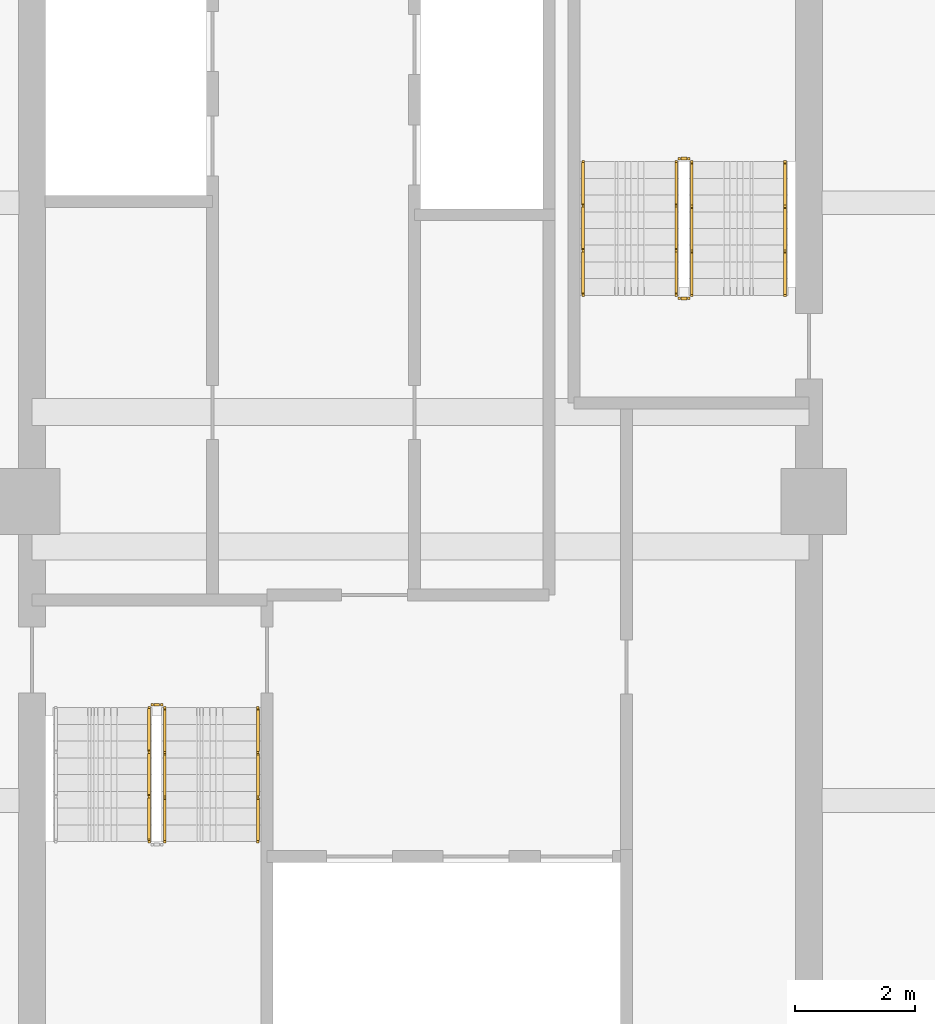
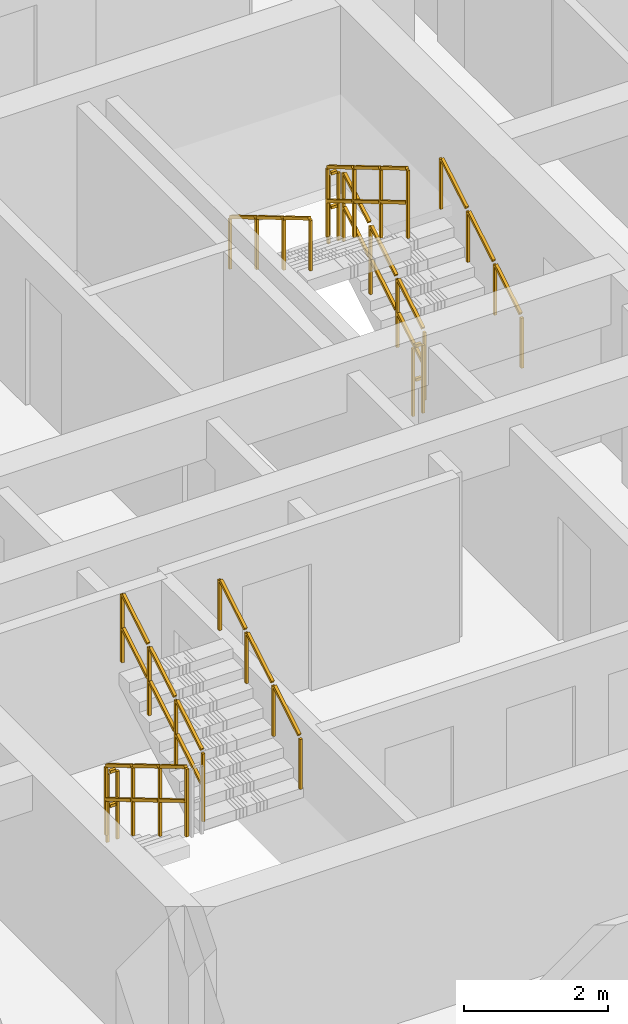
# One storey, part 11 of 13: 10 railings.
"""IFC4 building model written with IfcOpenShell, lengths in metres."""

import ifcopenshell
import ifcopenshell.guid

model = None  # the IFC model being written
_history = None  # IfcOwnerHistory: only IFC2X3 demands one
_inside = {}  # id of a spatial element -> (the spatial element, [elements in it])
_under = {}  # id of a project, library or spatial element -> (it, [spatial elements below it])
_declared = {}  # id of a project -> (the project, [libraries it declares])
_typed = {}  # id of a type object -> (the type object, [elements of that type])
_made_of = {}  # id of a material, layer set ... -> (it, [elements and type objects made of it])


def new_model(schema):
    """Start an empty IFC model of exactly this schema.

    Asked for "IFC4X3", IfcOpenShell would pick the latest addendum, in which some entities
    have other attributes; the version numbers below select the first issue.
    IFC2X3 requires an IfcOwnerHistory on every rooted entity: one is made here for all.
    """
    global model, _history
    if schema == "IFC4X3":
        model = ifcopenshell.file(schema_version=(4, 3, 0, 0))
    else:
        model = ifcopenshell.file(schema=schema)
    _inside.clear()
    _under.clear()
    _declared.clear()
    _typed.clear()
    _made_of.clear()
    _history = None
    if model.schema == "IFC2X3":
        org = make("IfcOrganization", Name="unknown")
        user = make(
            "IfcPersonAndOrganization",
            ThePerson=make("IfcPerson", FamilyName="unknown"),
            TheOrganization=org,
        )
        app = make(
            "IfcApplication",
            ApplicationDeveloper=org,
            Version="unknown",
            ApplicationFullName="unknown",
            ApplicationIdentifier="unknown",
        )
        _history = make(
            "IfcOwnerHistory",
            OwningUser=user,
            OwningApplication=app,
            ChangeAction="ADDED",
            CreationDate=0,
        )
    return model


def make(cls, **values):
    """One entity of the class cls with the attributes given. An attribute that is None is left unset."""
    return model.create_entity(
        cls, **{name: value for name, value in values.items() if value is not None}
    )


def rooted(cls, **values):
    """An entity with a GlobalId (a new one), such as an element, a storey or a relation."""
    return make(cls, GlobalId=ifcopenshell.guid.new(), OwnerHistory=_history, **values)


def si_unit(unit_type, name, prefix=None):
    """IfcSIUnit, for example si_unit("LENGTHUNIT", "METRE", prefix="MILLI")."""
    return make("IfcSIUnit", UnitType=unit_type, Prefix=prefix, Name=name)


def assignment(units):
    """IfcUnitAssignment: the units of a project."""
    return None if units is None else make("IfcUnitAssignment", Units=units)


def point(xyz):
    """IfcCartesianPoint."""
    return None if xyz is None else make("IfcCartesianPoint", Coordinates=xyz)


def direction(xyz):
    """IfcDirection."""
    return None if xyz is None else make("IfcDirection", DirectionRatios=xyz)


def frame(location, z_axis=None, x_axis=None):
    """IfcAxis2Placement3D, a coordinate frame: its origin and axes. An axis left out is left unset."""
    return make(
        "IfcAxis2Placement3D",
        Location=point(location),
        Axis=direction(z_axis),
        RefDirection=direction(x_axis),
    )


def frame_2d(location, x_axis=None):
    """IfcAxis2Placement2D, a coordinate frame in the plane: its origin and x axis."""
    return make(
        "IfcAxis2Placement2D", Location=point(location), RefDirection=direction(x_axis)
    )


def origin():
    """The frame at (0, 0, 0) with its axes left unset."""
    return frame((0.0, 0.0, 0.0))


def origin_2d():
    """The frame at (0, 0) in the plane with its x axis left unset."""
    return frame_2d((0.0, 0.0))


def place(relative_to, where):
    """IfcLocalPlacement: puts the frame where relative to a parent placement (None: the world)."""
    return make(
        "IfcLocalPlacement", PlacementRelTo=relative_to, RelativePlacement=where
    )


def context(
    kind, dimensions, precision=None, world=None, true_north=None, identifier=None
):
    """IfcGeometricRepresentationContext, for example the 3D "Model" context."""
    return make(
        "IfcGeometricRepresentationContext",
        ContextIdentifier=identifier,
        ContextType=kind,
        CoordinateSpaceDimension=dimensions,
        Precision=precision,
        WorldCoordinateSystem=world,
        TrueNorth=true_north,
    )


def subcontext(parent, identifier, kind, view, scale=None):
    """IfcGeometricRepresentationSubContext, for example "Body" below "Model"."""
    return make(
        "IfcGeometricRepresentationSubContext",
        ContextIdentifier=identifier,
        ContextType=kind,
        ParentContext=parent,
        TargetScale=scale,
        TargetView=view,
    )


def project(units=None, contexts=None):
    """IfcProject with its units and contexts."""
    return rooted(
        "IfcProject",
        Name="project",
        RepresentationContexts=contexts,
        UnitsInContext=assignment(units),
    )


def spatial(cls, under=None, at=None, **own):
    """A site, building, storey or space (cls), placed at a placement, below another one or the project."""
    s = rooted(cls, ObjectPlacement=at, **own)
    if under is not None:
        _under.setdefault(under.id(), (under, []))[1].append(s)
    return s


def profile(cls, at=None, kind="AREA", **sizes):
    """A parametric profile (cls). Its sizes go by their IFC names, for example OverallWidth=200.0."""
    return make(cls, ProfileType=kind, Position=at, **sizes)


def rectangle(**sizes):
    """IfcRectangleProfileDef."""
    return profile("IfcRectangleProfileDef", **sizes)


def extrude(swept, where, along, depth):
    """IfcExtrudedAreaSolid: the profile swept, set in the frame where, extruded along a direction by depth."""
    return make(
        "IfcExtrudedAreaSolid",
        SweptArea=swept,
        Position=where,
        ExtrudedDirection=direction(along),
        Depth=depth,
    )


def shape(context_of_items, identifier, shape_type, items):
    """IfcShapeRepresentation: the items that make up one representation, for example the "Body"."""
    return make(
        "IfcShapeRepresentation",
        ContextOfItems=context_of_items,
        RepresentationIdentifier=identifier,
        RepresentationType=shape_type,
        Items=items,
    )


def material(Name=None, Category=None):
    """IfcMaterial."""
    return make("IfcMaterial", Name=Name, Category=Category)


def made_of(thing, what):
    """Note that an element or type object is made of a material, layer set ...; save() writes the relation."""
    if what is not None:
        _made_of.setdefault(what.id(), (what, []))[1].append(thing)
    return thing


def type_object(cls, material=None, **own):
    """A type object (cls), such as IfcWallType, which elements share."""
    return made_of(rooted(cls, **own), material)


def element(
    cls,
    number,
    at=None,
    inside=None,
    cuts=None,
    type_object=None,
    material=None,
    context=None,
    identifier="Body",
    shape_type=None,
    held_by="IfcProductDefinitionShape",
    body=None,
    shapes=None,
    **own,
):
    """One element of the class cls, such as IfcWall. Its Tag is "e" and its number.

    at: its placement. inside: the storey or other place that contains it. cuts: it is an
    opening in that element (IfcRelVoidsElement). A single representation is given by context,
    identifier, shape_type and body (its items); several are given by shapes. held_by: the class
    of the entity that holds the representations. save() writes the other relations.
    """
    e = rooted(cls, Tag="e%d" % number, ObjectPlacement=at, **own)
    if body is not None:
        shapes = [shape(context, identifier, shape_type, body)]
    if shapes is not None:
        e.Representation = make(held_by, Representations=shapes)
    if inside is not None:
        _inside.setdefault(inside.id(), (inside, []))[1].append(e)
    if cuts is not None:
        rooted(
            "IfcRelVoidsElement", RelatingBuildingElement=cuts, RelatedOpeningElement=e
        )
    if type_object is not None:
        _typed.setdefault(type_object.id(), (type_object, []))[1].append(e)
    return made_of(e, material)


def aggregate(whole, parts):
    """IfcRelAggregates: a whole, such as a stair, and the parts it consists of."""
    return rooted("IfcRelAggregates", RelatingObject=whole, RelatedObjects=parts)


def save(model, path):
    """Write the relations noted so far, then the file.

    IfcRelAggregates (storeys below a building ...), IfcRelContainedInSpatialStructure (elements
    in a storey), IfcRelDefinesByType, IfcRelAssociatesMaterial and IfcRelDeclares: one each for
    every whole, place, type object, material and project.
    """
    for whole, parts in _under.values():
        aggregate(whole, parts)
    for where, things in _inside.values():
        rooted(
            "IfcRelContainedInSpatialStructure",
            RelatedElements=things,
            RelatingStructure=where,
        )
    for kind, things in _typed.values():
        rooted("IfcRelDefinesByType", RelatedObjects=things, RelatingType=kind)
    for what, things in _made_of.values():
        rooted("IfcRelAssociatesMaterial", RelatedObjects=things, RelatingMaterial=what)
    for by, libraries in _declared.values():
        rooted("IfcRelDeclares", RelatingContext=by, RelatedDefinitions=libraries)
    model.write(path)


model = new_model("IFC4")

# Units and contexts
model_context = context("Model", 3, precision=1e-05, world=origin(), true_north=direction((0.0, 1.0)))
body_context = subcontext(model_context, "Body", "Model", "MODEL_VIEW")
ifc_project = project(units=[si_unit("LENGTHUNIT", "METRE"), si_unit("AREAUNIT", "SQUARE_METRE"), si_unit("VOLUMEUNIT", "CUBIC_METRE"), si_unit("PLANEANGLEUNIT", "RADIAN"), si_unit("MASSUNIT", "GRAM", prefix="KILO")], contexts=[model_context])

# Site, building, storey
site_placement = place(None, origin())
site = spatial("IfcSite", under=ifc_project, at=site_placement, CompositionType="ELEMENT")
building_placement = place(site_placement, origin())
building = spatial("IfcBuilding", under=site, at=building_placement, Name="Saelheon Loggia Tower", CompositionType="ELEMENT")
storey_placement = place(building_placement, frame((0.0, 0.0, 189.699951171875)))
storey = spatial("IfcBuildingStorey", under=building, at=storey_placement, Name="L59", CompositionType="ELEMENT", Elevation=189.699951171875)

# Railings
ifc_material_1 = material(Name="Galvanised Steel S275 Stairwell Guardrail", Category="steel")
railing_type_1 = type_object("IfcRailingType", Name="Guard_StairWell_RL_STG", PredefinedType="GUARDRAIL", material=ifc_material_1)
railing_1_placement = place(storey_placement, frame((33.4599609375, 23.550048828125, 0.166748046875)))
element("IfcRailing", 1, at=railing_1_placement, inside=storey, type_object=railing_type_1, Name="L59 ST1 stair guard 1", PredefinedType="GUARDRAIL", context=body_context, shape_type="SweptSolid", body=[
    extrude(rectangle(XDim=0.048095703125, YDim=0.048095703125, at=origin_2d()), frame((0.0, -0.028564453125, 1.19287109375), z_axis=(0.0, -0.859305625298, 0.511462454469), x_axis=(1.0, 0.0, 0.0)), (0.0, 0.0, 1.0), 0.802490234375),
    extrude(rectangle(XDim=0.048095703125, YDim=0.048095703125, at=origin_2d()), frame((0.0, -0.028564453125, 0.616943359375), z_axis=(0.0, -0.859305625298, 0.511462454469), x_axis=(1.0, 0.0, 0.0)), (0.0, 0.0, 1.0), 0.802490234375),
    extrude(rectangle(XDim=0.048095703125, YDim=0.048095703125, at=origin_2d()), frame((0.0, -0.775146484375, 1.63720703125), z_axis=(0.0, -0.859305625298, 0.511462454469), x_axis=(1.0, 0.0, 0.0)), (0.0, 0.0, 1.0), 0.802490234375),
    extrude(rectangle(XDim=0.048095703125, YDim=0.048095703125, at=origin_2d()), frame((0.0, -0.775146484375, 1.061279296875), z_axis=(0.0, -0.859305625298, 0.511462454469), x_axis=(1.0, 0.0, 0.0)), (0.0, 0.0, 1.0), 0.802490234375),
    extrude(rectangle(XDim=0.048095703125, YDim=0.048095703125, at=origin_2d()), frame((0.0, -1.52197265625, 2.081787109375), z_axis=(0.0, -0.859305625298, 0.511462454469), x_axis=(1.0, 0.0, 0.0)), (0.0, 0.0, 1.0), 0.802490234375),
    extrude(rectangle(XDim=0.048095703125, YDim=0.048095703125, at=origin_2d()), frame((0.0, -1.52197265625, 1.505859375), z_axis=(0.0, -0.859305625298, 0.511462454469), x_axis=(1.0, 0.0, 0.0)), (0.0, 0.0, 1.0), 0.802490234375),
    extrude(rectangle(XDim=0.0419921875, YDim=0.0419921875, at=origin_2d()), origin(), (0.0, 0.0, 1.0), 1.14794921875),
    extrude(rectangle(XDim=0.0419921875, YDim=0.0419921875, at=origin_2d()), frame((0.0, -0.74658203125, 0.4443359375)), (0.0, 0.0, 1.0), 1.14794921875),
    extrude(rectangle(XDim=0.0419921875, YDim=0.0419921875, at=origin_2d()), frame((0.0, -1.493408203125, 0.888916015625)), (0.0, 0.0, 1.0), 1.14794921875),
    extrude(rectangle(XDim=0.0419921875, YDim=0.0419921875, at=origin_2d()), frame((0.0, -2.239990234375, 1.333251953125)), (0.0, 0.0, 1.0), 1.14794921875),
])
railing_2_placement = place(storey_placement, frame((33.719970703125, 21.31005859375, 1.666748046875)))
element("IfcRailing", 2, at=railing_2_placement, inside=storey, type_object=railing_type_1, Name="L59 ST1 stair guard 3", PredefinedType="GUARDRAIL", context=body_context, shape_type="SweptSolid", body=[
    extrude(rectangle(XDim=0.048095703125, YDim=0.048095703125, at=origin_2d()), frame((0.0, 0.028564453125, 1.19287109375), z_axis=(0.0, 0.859305625298, 0.511462454469), x_axis=(-1.0, 0.0, 0.0)), (0.0, 0.0, 1.0), 0.802490234375),
    extrude(rectangle(XDim=0.048095703125, YDim=0.048095703125, at=origin_2d()), frame((0.0, 0.028564453125, 0.616943359375), z_axis=(0.0, 0.859305625298, 0.511462454469), x_axis=(-1.0, 0.0, 0.0)), (0.0, 0.0, 1.0), 0.802490234375),
    extrude(rectangle(XDim=0.048095703125, YDim=0.048095703125, at=origin_2d()), frame((0.0, 0.775146484375, 1.63720703125), z_axis=(0.0, 0.859305625298, 0.511462454469), x_axis=(-1.0, 0.0, 0.0)), (0.0, 0.0, 1.0), 0.802490234375),
    extrude(rectangle(XDim=0.048095703125, YDim=0.048095703125, at=origin_2d()), frame((0.0, 0.775146484375, 1.061279296875), z_axis=(0.0, 0.859305625298, 0.511462454469), x_axis=(-1.0, 0.0, 0.0)), (0.0, 0.0, 1.0), 0.802490234375),
    extrude(rectangle(XDim=0.048095703125, YDim=0.048095703125, at=origin_2d()), frame((0.0, 1.52197265625, 2.081787109375), z_axis=(0.0, 0.859305625298, 0.511462454469), x_axis=(-1.0, 0.0, 0.0)), (0.0, 0.0, 1.0), 0.802490234375),
    extrude(rectangle(XDim=0.048095703125, YDim=0.048095703125, at=origin_2d()), frame((0.0, 1.52197265625, 1.505859375), z_axis=(0.0, 0.859305625298, 0.511462454469), x_axis=(-1.0, 0.0, 0.0)), (0.0, 0.0, 1.0), 0.802490234375),
    extrude(rectangle(XDim=0.0419921875, YDim=0.0419921875, at=origin_2d()), origin(), (0.0, 0.0, 1.0), 1.14794921875),
    extrude(rectangle(XDim=0.0419921875, YDim=0.0419921875, at=origin_2d()), frame((0.0, 0.74658203125, 0.4443359375)), (0.0, 0.0, 1.0), 1.14794921875),
    extrude(rectangle(XDim=0.0419921875, YDim=0.0419921875, at=origin_2d()), frame((0.0, 1.493408203125, 0.888916015625)), (0.0, 0.0, 1.0), 1.14794921875),
    extrude(rectangle(XDim=0.0419921875, YDim=0.0419921875, at=origin_2d()), frame((0.0, 2.239990234375, 1.333251953125)), (0.0, 0.0, 1.0), 1.14794921875),
])
railing_3_placement = place(storey_placement, frame((33.510009765625, 23.60009765625, 0.0)))
element("IfcRailing", 3, at=railing_3_placement, inside=storey, type_object=railing_type_1, Name="L59 ST1 stair guard 4", PredefinedType="GUARDRAIL", context=body_context, shape_type="SweptSolid", body=[
    extrude(rectangle(XDim=0.048095703125, YDim=0.048095703125, at=origin_2d()), frame((0.033203125, 0.0, 1.17578125), z_axis=(1.0, 0.0, 0.0), x_axis=(0.0, 1.0, 0.0)), (0.0, 0.0, 1.0), 0.093505859375),
    extrude(rectangle(XDim=0.048095703125, YDim=0.048095703125, at=origin_2d()), frame((0.033203125, 0.0, 0.60009765625), z_axis=(1.0, 0.0, 0.0), x_axis=(0.0, 1.0, 0.0)), (0.0, 0.0, 1.0), 0.093505859375),
    extrude(rectangle(XDim=0.0419921875, YDim=0.0419921875, at=origin_2d()), origin(), (0.0, 0.0, 1.0), 1.14794921875),
    extrude(rectangle(XDim=0.0419921875, YDim=0.0419921875, at=origin_2d()), frame((0.159912109375, 0.0, 0.0)), (0.0, 0.0, 1.0), 1.14794921875),
])
railing_4_placement = place(storey_placement, frame((42.5400390625, 30.449951171875, 0.166748046875)))
element("IfcRailing", 4, at=railing_4_placement, inside=storey, type_object=railing_type_1, Name="L59 ST2 stair guard 1", PredefinedType="GUARDRAIL", context=body_context, shape_type="SweptSolid", body=[
    extrude(rectangle(XDim=0.048095703125, YDim=0.048095703125, at=origin_2d()), frame((0.0, 0.028564453125, 1.19287109375), z_axis=(0.0, 0.859305625298, 0.511462454469), x_axis=(-1.0, 0.0, 0.0)), (0.0, 0.0, 1.0), 0.802490234375),
    extrude(rectangle(XDim=0.048095703125, YDim=0.048095703125, at=origin_2d()), frame((0.0, 0.028564453125, 0.616943359375), z_axis=(0.0, 0.859305625298, 0.511462454469), x_axis=(-1.0, 0.0, 0.0)), (0.0, 0.0, 1.0), 0.802490234375),
    extrude(rectangle(XDim=0.048095703125, YDim=0.048095703125, at=origin_2d()), frame((0.0, 0.775146484375, 1.63720703125), z_axis=(0.0, 0.859305625298, 0.511462454469), x_axis=(-1.0, 0.0, 0.0)), (0.0, 0.0, 1.0), 0.802490234375),
    extrude(rectangle(XDim=0.048095703125, YDim=0.048095703125, at=origin_2d()), frame((0.0, 0.775146484375, 1.061279296875), z_axis=(0.0, 0.859305625298, 0.511462454469), x_axis=(-1.0, 0.0, 0.0)), (0.0, 0.0, 1.0), 0.802490234375),
    extrude(rectangle(XDim=0.048095703125, YDim=0.048095703125, at=origin_2d()), frame((0.0, 1.52197265625, 2.081787109375), z_axis=(0.0, 0.859305625298, 0.511462454469), x_axis=(-1.0, 0.0, 0.0)), (0.0, 0.0, 1.0), 0.802490234375),
    extrude(rectangle(XDim=0.048095703125, YDim=0.048095703125, at=origin_2d()), frame((0.0, 1.52197265625, 1.505859375), z_axis=(0.0, 0.859305625298, 0.511462454469), x_axis=(-1.0, 0.0, 0.0)), (0.0, 0.0, 1.0), 0.802490234375),
    extrude(rectangle(XDim=0.0419921875, YDim=0.0419921875, at=origin_2d()), origin(), (0.0, 0.0, 1.0), 1.14794921875),
    extrude(rectangle(XDim=0.0419921875, YDim=0.0419921875, at=origin_2d()), frame((0.0, 0.74658203125, 0.4443359375)), (0.0, 0.0, 1.0), 1.14794921875),
    extrude(rectangle(XDim=0.0419921875, YDim=0.0419921875, at=origin_2d()), frame((0.0, 1.493408203125, 0.888916015625)), (0.0, 0.0, 1.0), 1.14794921875),
    extrude(rectangle(XDim=0.0419921875, YDim=0.0419921875, at=origin_2d()), frame((0.0, 2.239990234375, 1.333251953125)), (0.0, 0.0, 1.0), 1.14794921875),
])
railing_5_placement = place(storey_placement, frame((42.489990234375, 32.739990234375, 1.5)))
element("IfcRailing", 5, at=railing_5_placement, inside=storey, type_object=railing_type_1, Name="L59 ST2 stair guard 2", PredefinedType="GUARDRAIL", context=body_context, shape_type="SweptSolid", body=[
    extrude(rectangle(XDim=0.048095703125, YDim=0.048095703125, at=origin_2d()), frame((-0.033203125, 0.0, 1.17578125), z_axis=(-1.0, 0.0, 0.0), x_axis=(0.0, -1.0, 0.0)), (0.0, 0.0, 1.0), 0.093505859375),
    extrude(rectangle(XDim=0.048095703125, YDim=0.048095703125, at=origin_2d()), frame((-0.033203125, 0.0, 0.60009765625), z_axis=(-1.0, 0.0, 0.0), x_axis=(0.0, -1.0, 0.0)), (0.0, 0.0, 1.0), 0.093505859375),
    extrude(rectangle(XDim=0.0419921875, YDim=0.0419921875, at=origin_2d()), origin(), (0.0, 0.0, 1.0), 1.14794921875),
    extrude(rectangle(XDim=0.0419921875, YDim=0.0419921875, at=origin_2d()), frame((-0.159912109375, 0.0, 0.0)), (0.0, 0.0, 1.0), 1.14794921875),
])
railing_6_placement = place(storey_placement, frame((42.280029296875, 32.68994140625, 1.666748046875)))
element("IfcRailing", 6, at=railing_6_placement, inside=storey, type_object=railing_type_1, Name="L59 ST2 stair guard 3", PredefinedType="GUARDRAIL", context=body_context, shape_type="SweptSolid", body=[
    extrude(rectangle(XDim=0.048095703125, YDim=0.048095703125, at=origin_2d()), frame((0.0, -0.028564453125, 1.19287109375), z_axis=(0.0, -0.859305625298, 0.511462454469), x_axis=(1.0, 0.0, 0.0)), (0.0, 0.0, 1.0), 0.802490234375),
    extrude(rectangle(XDim=0.048095703125, YDim=0.048095703125, at=origin_2d()), frame((0.0, -0.028564453125, 0.616943359375), z_axis=(0.0, -0.859305625298, 0.511462454469), x_axis=(1.0, 0.0, 0.0)), (0.0, 0.0, 1.0), 0.802490234375),
    extrude(rectangle(XDim=0.048095703125, YDim=0.048095703125, at=origin_2d()), frame((0.0, -0.775146484375, 1.63720703125), z_axis=(0.0, -0.859305625298, 0.511462454469), x_axis=(1.0, 0.0, 0.0)), (0.0, 0.0, 1.0), 0.802490234375),
    extrude(rectangle(XDim=0.048095703125, YDim=0.048095703125, at=origin_2d()), frame((0.0, -0.775146484375, 1.061279296875), z_axis=(0.0, -0.859305625298, 0.511462454469), x_axis=(1.0, 0.0, 0.0)), (0.0, 0.0, 1.0), 0.802490234375),
    extrude(rectangle(XDim=0.048095703125, YDim=0.048095703125, at=origin_2d()), frame((0.0, -1.52197265625, 2.081787109375), z_axis=(0.0, -0.859305625298, 0.511462454469), x_axis=(1.0, 0.0, 0.0)), (0.0, 0.0, 1.0), 0.802490234375),
    extrude(rectangle(XDim=0.048095703125, YDim=0.048095703125, at=origin_2d()), frame((0.0, -1.52197265625, 1.505859375), z_axis=(0.0, -0.859305625298, 0.511462454469), x_axis=(1.0, 0.0, 0.0)), (0.0, 0.0, 1.0), 0.802490234375),
    extrude(rectangle(XDim=0.0419921875, YDim=0.0419921875, at=origin_2d()), origin(), (0.0, 0.0, 1.0), 1.14794921875),
    extrude(rectangle(XDim=0.0419921875, YDim=0.0419921875, at=origin_2d()), frame((0.0, -0.74658203125, 0.4443359375)), (0.0, 0.0, 1.0), 1.14794921875),
    extrude(rectangle(XDim=0.0419921875, YDim=0.0419921875, at=origin_2d()), frame((0.0, -1.493408203125, 0.888916015625)), (0.0, 0.0, 1.0), 1.14794921875),
    extrude(rectangle(XDim=0.0419921875, YDim=0.0419921875, at=origin_2d()), frame((0.0, -2.239990234375, 1.333251953125)), (0.0, 0.0, 1.0), 1.14794921875),
])
railing_7_placement = place(storey_placement, frame((42.489990234375, 30.39990234375, 0.0)))
element("IfcRailing", 7, at=railing_7_placement, inside=storey, type_object=railing_type_1, Name="L59 ST2 stair guard 4", PredefinedType="GUARDRAIL", context=body_context, shape_type="SweptSolid", body=[
    extrude(rectangle(XDim=0.048095703125, YDim=0.048095703125, at=origin_2d()), frame((-0.033203125, 0.0, 1.17578125), z_axis=(-1.0, 0.0, 0.0), x_axis=(0.0, -1.0, 0.0)), (0.0, 0.0, 1.0), 0.093505859375),
    extrude(rectangle(XDim=0.048095703125, YDim=0.048095703125, at=origin_2d()), frame((-0.033203125, 0.0, 0.60009765625), z_axis=(-1.0, 0.0, 0.0), x_axis=(0.0, -1.0, 0.0)), (0.0, 0.0, 1.0), 0.093505859375),
    extrude(rectangle(XDim=0.0419921875, YDim=0.0419921875, at=origin_2d()), origin(), (0.0, 0.0, 1.0), 1.14794921875),
    extrude(rectangle(XDim=0.0419921875, YDim=0.0419921875, at=origin_2d()), frame((-0.159912109375, 0.0, 0.0)), (0.0, 0.0, 1.0), 1.14794921875),
])
ifc_material_2 = material(Name="Stainless Steel 304 Tubular Handrail", Category="steel")
railing_type_2 = type_object("IfcRailingType", Name="Handrail_Stair_RL_HR1", PredefinedType="HANDRAIL", material=ifc_material_2)
for number, where, name in (
    (8, (35.280029296875, 21.31005859375, 1.666748046875), "L59 ST1 stair handrail 2"),
    (9, (44.10009765625, 30.449951171875, 0.166748046875), "L59 ST2 stair handrail 1"),
):
    element("IfcRailing", number, at=place(storey_placement, frame(where)), inside=storey, type_object=railing_type_2, Name=name, PredefinedType="HANDRAIL", context=body_context, shape_type="SweptSolid", body=[
        extrude(rectangle(XDim=0.048095703125, YDim=0.048095703125, at=origin_2d()), frame((0.0, 0.028564453125, 0.892822265625), z_axis=(0.0, 0.859305625298, 0.511462454469), x_axis=(-1.0, 0.0, 0.0)), (0.0, 0.0, 1.0), 0.802490234375),
        extrude(rectangle(XDim=0.048095703125, YDim=0.048095703125, at=origin_2d()), frame((0.0, 0.775146484375, 1.337158203125), z_axis=(0.0, 0.859305625298, 0.511462454469), x_axis=(-1.0, 0.0, 0.0)), (0.0, 0.0, 1.0), 0.802490234375),
        extrude(rectangle(XDim=0.048095703125, YDim=0.048095703125, at=origin_2d()), frame((0.0, 1.52197265625, 1.78173828125), z_axis=(0.0, 0.859305625298, 0.511462454469), x_axis=(-1.0, 0.0, 0.0)), (0.0, 0.0, 1.0), 0.802490234375),
        extrude(rectangle(XDim=0.0419921875, YDim=0.0419921875, at=origin_2d()), origin(), (0.0, 0.0, 1.0), 0.847900390625),
        extrude(rectangle(XDim=0.0419921875, YDim=0.0419921875, at=origin_2d()), frame((0.0, 0.74658203125, 0.4443359375)), (0.0, 0.0, 1.0), 0.847900390625),
        extrude(rectangle(XDim=0.0419921875, YDim=0.0419921875, at=origin_2d()), frame((0.0, 1.493408203125, 0.888916015625)), (0.0, 0.0, 1.0), 0.847900390625),
        extrude(rectangle(XDim=0.0419921875, YDim=0.0419921875, at=origin_2d()), frame((0.0, 2.239990234375, 1.333251953125)), (0.0, 0.0, 1.0), 0.847900390625),
    ])
railing_8_placement = place(storey_placement, frame((40.719970703125, 32.68994140625, 1.666748046875)))
element("IfcRailing", 10, at=railing_8_placement, inside=storey, type_object=railing_type_2, Name="L59 ST2 stair handrail 2", PredefinedType="HANDRAIL", context=body_context, shape_type="SweptSolid", body=[
    extrude(rectangle(XDim=0.048095703125, YDim=0.048095703125, at=origin_2d()), frame((0.0, -0.028564453125, 0.892822265625), z_axis=(0.0, -0.859305625298, 0.511462454469), x_axis=(1.0, 0.0, 0.0)), (0.0, 0.0, 1.0), 0.802490234375),
    extrude(rectangle(XDim=0.048095703125, YDim=0.048095703125, at=origin_2d()), frame((0.0, -0.775146484375, 1.337158203125), z_axis=(0.0, -0.859305625298, 0.511462454469), x_axis=(1.0, 0.0, 0.0)), (0.0, 0.0, 1.0), 0.802490234375),
    extrude(rectangle(XDim=0.048095703125, YDim=0.048095703125, at=origin_2d()), frame((0.0, -1.52197265625, 1.78173828125), z_axis=(0.0, -0.859305625298, 0.511462454469), x_axis=(1.0, 0.0, 0.0)), (0.0, 0.0, 1.0), 0.802490234375),
    extrude(rectangle(XDim=0.0419921875, YDim=0.0419921875, at=origin_2d()), origin(), (0.0, 0.0, 1.0), 0.847900390625),
    extrude(rectangle(XDim=0.0419921875, YDim=0.0419921875, at=origin_2d()), frame((0.0, -0.74658203125, 0.4443359375)), (0.0, 0.0, 1.0), 0.847900390625),
    extrude(rectangle(XDim=0.0419921875, YDim=0.0419921875, at=origin_2d()), frame((0.0, -1.493408203125, 0.888916015625)), (0.0, 0.0, 1.0), 0.847900390625),
    extrude(rectangle(XDim=0.0419921875, YDim=0.0419921875, at=origin_2d()), frame((0.0, -2.239990234375, 1.333251953125)), (0.0, 0.0, 1.0), 0.847900390625),
])

save(model, "model.ifc")
